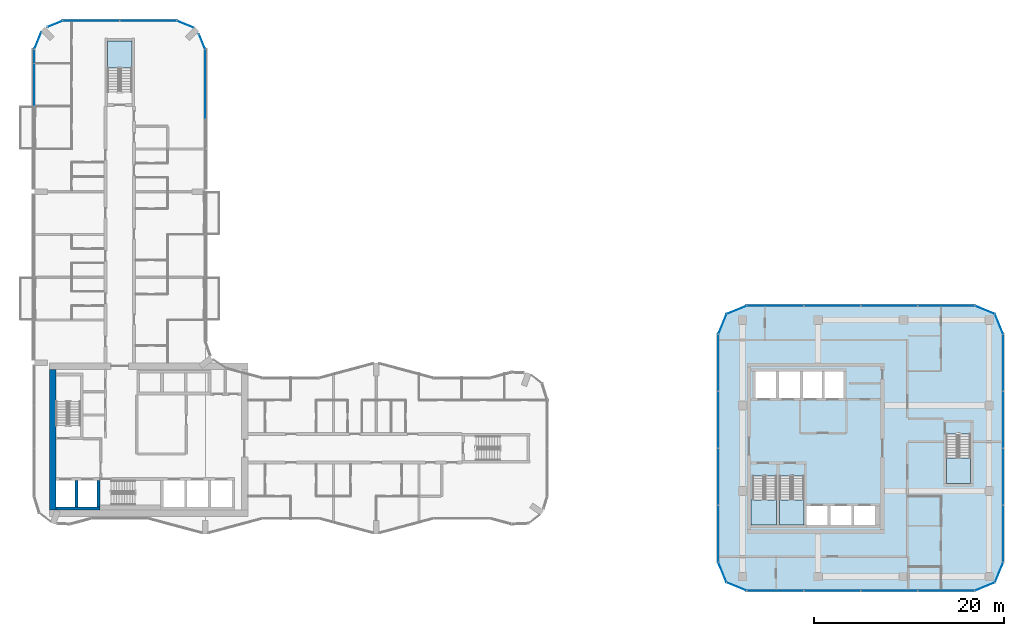
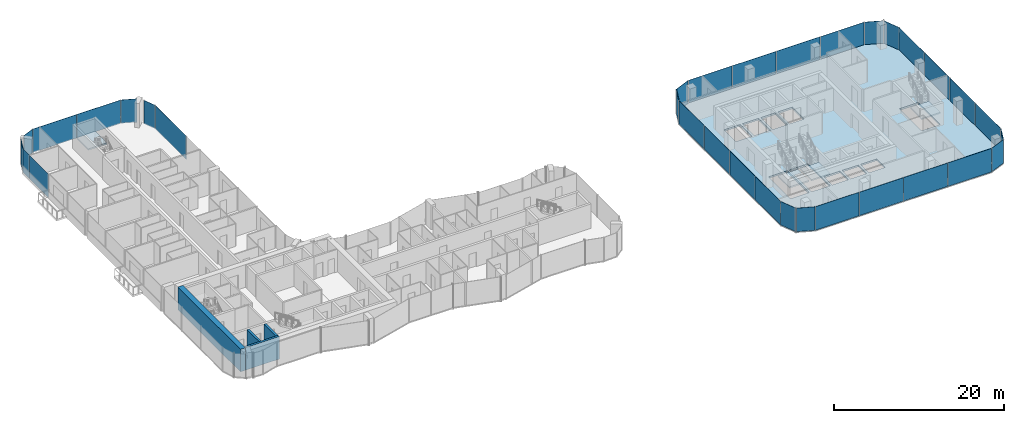
# One storey, part 12 of 23: 33 plates, 5 slabs, 4 walls, 23 elements without a shape of their own.
"""IFC4 building model written with IfcOpenShell, lengths in metres."""

from ifc_helpers import new_model, si_unit, direction, frame, frame_2d, origin, origin_2d, place, context, subcontext, project, spatial, polyline, rectangle, outline, extrude, material, layer, layer_set, type_object, element, aggregate, save


model = new_model("IFC4")

# Units and contexts
model_context = context("Model", 3, precision=1e-05, world=origin(), true_north=direction((0.0, 1.0)))
body_context = subcontext(model_context, "Body", "Model", "MODEL_VIEW")
ifc_project = project(units=[si_unit("LENGTHUNIT", "METRE"), si_unit("AREAUNIT", "SQUARE_METRE"), si_unit("VOLUMEUNIT", "CUBIC_METRE"), si_unit("PLANEANGLEUNIT", "RADIAN"), si_unit("MASSUNIT", "GRAM", prefix="KILO")], contexts=[model_context])

# Site, building, storey
site_placement = place(None, origin())
site = spatial("IfcSite", under=ifc_project, at=site_placement, CompositionType="ELEMENT")
building_placement = place(site_placement, origin())
building = spatial("IfcBuilding", under=site, at=building_placement, Name="Plateau Cross Towers", CompositionType="ELEMENT")
storey_placement = place(building_placement, frame((0.0, 0.0, 81.800048828125)))
storey = spatial("IfcBuildingStorey", under=building, at=storey_placement, Name="L20", CompositionType="ELEMENT", Elevation=81.800048828125)

# Curtain wall, plates
ifc_material_1 = material(Name="Dark low-iron glass", Category="glass")
ifc_layer_1 = layer(ifc_material_1, 0.239990234375)
ifc_layer_set_1 = layer_set([ifc_layer_1], Name="Dark low-iron glass")
curtain_wall_type_1 = type_object("IfcCurtainWallType", Name="Curtain wall office unitised CW-F", PredefinedType="NOTDEFINED", material=ifc_layer_set_1)
curtain_wall_1_placement = place(storey_placement, origin())
curtain_wall_1 = element("IfcCurtainWall", 1, at=curtain_wall_1_placement, inside=storey, type_object=curtain_wall_type_1, Name="ENV/B/L20/B750_-60", PredefinedType="NOTDEFINED")
ifc_layer_2 = layer(ifc_material_1, 0.028076171875)
ifc_layer_set_2 = layer_set([ifc_layer_2], Name="Dark low-iron glass")
plate_type_1 = type_object("IfcPlateType", Name="Glass panel 28 office unitised", PredefinedType="CURTAIN_PANEL", material=ifc_layer_set_2)
plate_1_placement = place(storey_placement, frame((78.0, -6.0, -0.1298828125), z_axis=(0.0, 0.0, 1.0), x_axis=(1.0, 0.0, 0.0)))
plate_1 = element("IfcPlate", 2, at=plate_1_placement, type_object=plate_type_1, Name="CW-F panel 1", PredefinedType="CURTAIN_PANEL", context=body_context, shape_type="SweptSolid", body=[
    extrude(rectangle(XDim=5.93994140625, YDim=0.028076171875, at=origin_2d()), origin(), (0.0, 0.0, 1.0), 3.3798828125),
])
plate_2_placement = place(storey_placement, frame((84.0, -6.0, -0.1298828125), z_axis=(0.0, 0.0, 1.0), x_axis=(1.0, 0.0, 0.0)))
plate_2 = element("IfcPlate", 3, at=plate_2_placement, type_object=plate_type_1, Name="CW-F panel 2", PredefinedType="CURTAIN_PANEL", context=body_context, shape_type="SweptSolid", body=[
    extrude(rectangle(XDim=5.93994140625, YDim=0.028076171875, at=origin_2d()), origin(), (0.0, 0.0, 1.0), 3.3798828125),
])
plate_3_placement = place(storey_placement, frame((90.0, -6.0, -0.1298828125), z_axis=(0.0, 0.0, 1.0), x_axis=(1.0, 0.0, 0.0)))
plate_3 = element("IfcPlate", 4, at=plate_3_placement, type_object=plate_type_1, Name="CW-F panel 3", PredefinedType="CURTAIN_PANEL", context=body_context, shape_type="SweptSolid", body=[
    extrude(rectangle(XDim=5.93994140625, YDim=0.028076171875, at=origin_2d()), origin(), (0.0, 0.0, 1.0), 3.3798828125),
])
plate_4_placement = place(storey_placement, frame((96.0, -6.0, -0.1298828125), z_axis=(0.0, 0.0, 1.0), x_axis=(1.0, 0.0, 0.0)))
plate_4 = element("IfcPlate", 5, at=plate_4_placement, type_object=plate_type_1, Name="CW-F panel 4", PredefinedType="CURTAIN_PANEL", context=body_context, shape_type="SweptSolid", body=[
    extrude(rectangle(XDim=5.93994140625, YDim=0.028076171875, at=origin_2d()), origin(), (0.0, 0.0, 1.0), 3.3798828125),
])
aggregate(curtain_wall_1, [plate_1, plate_2, plate_3, plate_4])

# Curtain wall, plate
curtain_wall_2_placement = place(storey_placement, origin())
curtain_wall_2 = element("IfcCurtainWall", 6, at=curtain_wall_2_placement, inside=storey, type_object=curtain_wall_type_1, Name="ENV/B/L20/B990_-60", PredefinedType="NOTDEFINED")
plate_5_placement = place(storey_placement, frame((100.060546875, -5.560546875, -0.1298828125), z_axis=(0.0, 0.0, 1.0), x_axis=(0.923879457699, 0.382683612978, 0.0)))
plate_5 = element("IfcPlate", 7, at=plate_5_placement, type_object=plate_type_1, Name="CW-F panel 1", PredefinedType="CURTAIN_PANEL", context=body_context, shape_type="SweptSolid", body=[
    extrude(rectangle(XDim=2.236083984375, YDim=0.028076171875, at=origin_2d()), origin(), (0.0, 0.0, 1.0), 3.3798828125),
])
aggregate(curtain_wall_2, [plate_5])

curtain_wall_3_placement = place(storey_placement, origin())
curtain_wall_3 = element("IfcCurtainWall", 8, at=curtain_wall_3_placement, inside=storey, type_object=curtain_wall_type_1, Name="ENV/B/L20/B1011_-51", PredefinedType="NOTDEFINED")
plate_6_placement = place(storey_placement, frame((101.560546875, -4.060546875, -0.1298828125), z_axis=(0.0, 0.0, 1.0), x_axis=(0.382683612978, 0.923879457699, 0.0)))
plate_6 = element("IfcPlate", 9, at=plate_6_placement, type_object=plate_type_1, Name="CW-F panel 1", PredefinedType="CURTAIN_PANEL", context=body_context, shape_type="SweptSolid", body=[
    extrude(rectangle(XDim=2.236083984375, YDim=0.028076171875, at=origin_2d()), origin(), (0.0, 0.0, 1.0), 3.3798828125),
])
aggregate(curtain_wall_3, [plate_6])

# Curtain wall, plates
curtain_wall_4_placement = place(storey_placement, origin())
curtain_wall_4 = element("IfcCurtainWall", 10, at=curtain_wall_4_placement, inside=storey, type_object=curtain_wall_type_1, Name="ENV/B/L20/B1020_-30", PredefinedType="NOTDEFINED")
plate_7_placement = place(storey_placement, frame((102.0, 0.0, -0.1298828125), z_axis=(0.0, 0.0, 1.0), x_axis=(0.0, 1.0, 0.0)))
plate_7 = element("IfcPlate", 11, at=plate_7_placement, type_object=plate_type_1, Name="CW-F panel 1", PredefinedType="CURTAIN_PANEL", context=body_context, shape_type="SweptSolid", body=[
    extrude(rectangle(XDim=5.93994140625, YDim=0.028076171875, at=origin_2d()), origin(), (0.0, 0.0, 1.0), 3.3798828125),
])
plate_8_placement = place(storey_placement, frame((102.0, 6.0, -0.1298828125), z_axis=(0.0, 0.0, 1.0), x_axis=(0.0, 1.0, 0.0)))
plate_8 = element("IfcPlate", 12, at=plate_8_placement, type_object=plate_type_1, Name="CW-F panel 2", PredefinedType="CURTAIN_PANEL", context=body_context, shape_type="SweptSolid", body=[
    extrude(rectangle(XDim=5.93994140625, YDim=0.028076171875, at=origin_2d()), origin(), (0.0, 0.0, 1.0), 3.3798828125),
])
plate_9_placement = place(storey_placement, frame((102.0, 12.0, -0.1298828125), z_axis=(0.0, 0.0, 1.0), x_axis=(0.0, 1.0, 0.0)))
plate_9 = element("IfcPlate", 13, at=plate_9_placement, type_object=plate_type_1, Name="CW-F panel 3", PredefinedType="CURTAIN_PANEL", context=body_context, shape_type="SweptSolid", body=[
    extrude(rectangle(XDim=5.93994140625, YDim=0.028076171875, at=origin_2d()), origin(), (0.0, 0.0, 1.0), 3.3798828125),
])
plate_10_placement = place(storey_placement, frame((102.0, 18.0, -0.1298828125), z_axis=(0.0, 0.0, 1.0), x_axis=(0.0, 1.0, 0.0)))
plate_10 = element("IfcPlate", 14, at=plate_10_placement, type_object=plate_type_1, Name="CW-F panel 4", PredefinedType="CURTAIN_PANEL", context=body_context, shape_type="SweptSolid", body=[
    extrude(rectangle(XDim=5.93994140625, YDim=0.028076171875, at=origin_2d()), origin(), (0.0, 0.0, 1.0), 3.3798828125),
])
aggregate(curtain_wall_4, [plate_7, plate_8, plate_9, plate_10])

# Curtain wall, plate
curtain_wall_5_placement = place(storey_placement, origin())
curtain_wall_5 = element("IfcCurtainWall", 15, at=curtain_wall_5_placement, inside=storey, type_object=curtain_wall_type_1, Name="ENV/B/L20/B1020_210", PredefinedType="NOTDEFINED")
plate_11_placement = place(storey_placement, frame((101.560546875, 22.060546875, -0.1298828125), z_axis=(0.0, 0.0, 1.0), x_axis=(-0.382683612978, 0.923879457699, 0.0)))
plate_11 = element("IfcPlate", 16, at=plate_11_placement, type_object=plate_type_1, Name="CW-F panel 1", PredefinedType="CURTAIN_PANEL", context=body_context, shape_type="SweptSolid", body=[
    extrude(rectangle(XDim=2.236083984375, YDim=0.028076171875, at=origin_2d()), origin(), (0.0, 0.0, 1.0), 3.3798828125),
])
aggregate(curtain_wall_5, [plate_11])

curtain_wall_6_placement = place(storey_placement, origin())
curtain_wall_6 = element("IfcCurtainWall", 17, at=curtain_wall_6_placement, inside=storey, type_object=curtain_wall_type_1, Name="ENV/B/L20/B1011_231", PredefinedType="NOTDEFINED")
plate_12_placement = place(storey_placement, frame((100.060546875, 23.560546875, -0.1298828125), z_axis=(0.0, 0.0, 1.0), x_axis=(-0.923879457699, 0.382683612978, 0.0)))
plate_12 = element("IfcPlate", 18, at=plate_12_placement, type_object=plate_type_1, Name="CW-F panel 1", PredefinedType="CURTAIN_PANEL", context=body_context, shape_type="SweptSolid", body=[
    extrude(rectangle(XDim=2.236083984375, YDim=0.028076171875, at=origin_2d()), origin(), (0.0, 0.0, 1.0), 3.3798828125),
])
aggregate(curtain_wall_6, [plate_12])

# Curtain wall, plates
curtain_wall_7_placement = place(storey_placement, origin())
curtain_wall_7 = element("IfcCurtainWall", 19, at=curtain_wall_7_placement, inside=storey, type_object=curtain_wall_type_1, Name="ENV/B/L20/B990_240", PredefinedType="NOTDEFINED")
plate_13_placement = place(storey_placement, frame((96.0, 24.0, -0.1298828125), z_axis=(0.0, 0.0, 1.0), x_axis=(-1.0, 0.0, 0.0)))
plate_13 = element("IfcPlate", 20, at=plate_13_placement, type_object=plate_type_1, Name="CW-F panel 1", PredefinedType="CURTAIN_PANEL", context=body_context, shape_type="SweptSolid", body=[
    extrude(rectangle(XDim=5.93994140625, YDim=0.028076171875, at=origin_2d()), origin(), (0.0, 0.0, 1.0), 3.3798828125),
])
plate_14_placement = place(storey_placement, frame((90.0, 24.0, -0.1298828125), z_axis=(0.0, 0.0, 1.0), x_axis=(-1.0, 0.0, 0.0)))
plate_14 = element("IfcPlate", 21, at=plate_14_placement, type_object=plate_type_1, Name="CW-F panel 2", PredefinedType="CURTAIN_PANEL", context=body_context, shape_type="SweptSolid", body=[
    extrude(rectangle(XDim=5.93994140625, YDim=0.028076171875, at=origin_2d()), origin(), (0.0, 0.0, 1.0), 3.3798828125),
])
plate_15_placement = place(storey_placement, frame((84.0, 24.0, -0.1298828125), z_axis=(0.0, 0.0, 1.0), x_axis=(-1.0, 0.0, 0.0)))
plate_15 = element("IfcPlate", 22, at=plate_15_placement, type_object=plate_type_1, Name="CW-F panel 3", PredefinedType="CURTAIN_PANEL", context=body_context, shape_type="SweptSolid", body=[
    extrude(rectangle(XDim=5.93994140625, YDim=0.028076171875, at=origin_2d()), origin(), (0.0, 0.0, 1.0), 3.3798828125),
])
plate_16_placement = place(storey_placement, frame((78.0, 24.0, -0.1298828125), z_axis=(0.0, 0.0, 1.0), x_axis=(-1.0, 0.0, 0.0)))
plate_16 = element("IfcPlate", 23, at=plate_16_placement, type_object=plate_type_1, Name="CW-F panel 4", PredefinedType="CURTAIN_PANEL", context=body_context, shape_type="SweptSolid", body=[
    extrude(rectangle(XDim=5.93994140625, YDim=0.028076171875, at=origin_2d()), origin(), (0.0, 0.0, 1.0), 3.3798828125),
])
aggregate(curtain_wall_7, [plate_13, plate_14, plate_15, plate_16])

# Curtain wall, plate
curtain_wall_8_placement = place(storey_placement, origin())
curtain_wall_8 = element("IfcCurtainWall", 24, at=curtain_wall_8_placement, inside=storey, type_object=curtain_wall_type_1, Name="ENV/B/L20/B750_240", PredefinedType="NOTDEFINED")
plate_17_placement = place(storey_placement, frame((73.939453125, 23.560546875, -0.1298828125), z_axis=(0.0, 0.0, 1.0), x_axis=(-0.923879457699, -0.382683612978, 0.0)))
plate_17 = element("IfcPlate", 25, at=plate_17_placement, type_object=plate_type_1, Name="CW-F panel 1", PredefinedType="CURTAIN_PANEL", context=body_context, shape_type="SweptSolid", body=[
    extrude(rectangle(XDim=2.236083984375, YDim=0.028076171875, at=origin_2d()), origin(), (0.0, 0.0, 1.0), 3.3798828125),
])
aggregate(curtain_wall_8, [plate_17])

curtain_wall_9_placement = place(storey_placement, origin())
curtain_wall_9 = element("IfcCurtainWall", 26, at=curtain_wall_9_placement, inside=storey, type_object=curtain_wall_type_1, Name="ENV/B/L20/B729_231", PredefinedType="NOTDEFINED")
plate_18_placement = place(storey_placement, frame((72.439453125, 22.060546875, -0.1298828125), z_axis=(0.0, 0.0, 1.0), x_axis=(-0.382683612978, -0.923879457699, 0.0)))
plate_18 = element("IfcPlate", 27, at=plate_18_placement, type_object=plate_type_1, Name="CW-F panel 1", PredefinedType="CURTAIN_PANEL", context=body_context, shape_type="SweptSolid", body=[
    extrude(rectangle(XDim=2.236083984375, YDim=0.028076171875, at=origin_2d()), origin(), (0.0, 0.0, 1.0), 3.3798828125),
])
aggregate(curtain_wall_9, [plate_18])

# Curtain wall, plates
curtain_wall_10_placement = place(storey_placement, origin())
curtain_wall_10 = element("IfcCurtainWall", 28, at=curtain_wall_10_placement, inside=storey, type_object=curtain_wall_type_1, Name="ENV/B/L20/B720_210", PredefinedType="NOTDEFINED")
plate_19_placement = place(storey_placement, frame((72.0, 18.0, -0.1298828125), z_axis=(0.0, 0.0, 1.0), x_axis=(0.0, -1.0, 0.0)))
plate_19 = element("IfcPlate", 29, at=plate_19_placement, type_object=plate_type_1, Name="CW-F panel 1", PredefinedType="CURTAIN_PANEL", context=body_context, shape_type="SweptSolid", body=[
    extrude(rectangle(XDim=5.93994140625, YDim=0.028076171875, at=origin_2d()), origin(), (0.0, 0.0, 1.0), 3.3798828125),
])
plate_20_placement = place(storey_placement, frame((72.0, 12.0, -0.1298828125), z_axis=(0.0, 0.0, 1.0), x_axis=(0.0, -1.0, 0.0)))
plate_20 = element("IfcPlate", 30, at=plate_20_placement, type_object=plate_type_1, Name="CW-F panel 2", PredefinedType="CURTAIN_PANEL", context=body_context, shape_type="SweptSolid", body=[
    extrude(rectangle(XDim=5.93994140625, YDim=0.028076171875, at=origin_2d()), origin(), (0.0, 0.0, 1.0), 3.3798828125),
])
plate_21_placement = place(storey_placement, frame((72.0, 6.0, -0.1298828125), z_axis=(0.0, 0.0, 1.0), x_axis=(0.0, -1.0, 0.0)))
plate_21 = element("IfcPlate", 31, at=plate_21_placement, type_object=plate_type_1, Name="CW-F panel 3", PredefinedType="CURTAIN_PANEL", context=body_context, shape_type="SweptSolid", body=[
    extrude(rectangle(XDim=5.93994140625, YDim=0.028076171875, at=origin_2d()), origin(), (0.0, 0.0, 1.0), 3.3798828125),
])
plate_22_placement = place(storey_placement, frame((72.0, 0.0, -0.1298828125), z_axis=(0.0, 0.0, 1.0), x_axis=(0.0, -1.0, 0.0)))
plate_22 = element("IfcPlate", 32, at=plate_22_placement, type_object=plate_type_1, Name="CW-F panel 4", PredefinedType="CURTAIN_PANEL", context=body_context, shape_type="SweptSolid", body=[
    extrude(rectangle(XDim=5.93994140625, YDim=0.028076171875, at=origin_2d()), origin(), (0.0, 0.0, 1.0), 3.3798828125),
])
aggregate(curtain_wall_10, [plate_19, plate_20, plate_21, plate_22])

# Curtain wall, plate
curtain_wall_11_placement = place(storey_placement, origin())
curtain_wall_11 = element("IfcCurtainWall", 33, at=curtain_wall_11_placement, inside=storey, type_object=curtain_wall_type_1, Name="ENV/B/L20/B720_-30", PredefinedType="NOTDEFINED")
plate_23_placement = place(storey_placement, frame((72.439453125, -4.060546875, -0.1298828125), z_axis=(0.0, 0.0, 1.0), x_axis=(0.382683612978, -0.923879457699, 0.0)))
plate_23 = element("IfcPlate", 34, at=plate_23_placement, type_object=plate_type_1, Name="CW-F panel 1", PredefinedType="CURTAIN_PANEL", context=body_context, shape_type="SweptSolid", body=[
    extrude(rectangle(XDim=2.236083984375, YDim=0.028076171875, at=origin_2d()), origin(), (0.0, 0.0, 1.0), 3.3798828125),
])
aggregate(curtain_wall_11, [plate_23])

curtain_wall_12_placement = place(storey_placement, origin())
curtain_wall_12 = element("IfcCurtainWall", 35, at=curtain_wall_12_placement, inside=storey, type_object=curtain_wall_type_1, Name="ENV/B/L20/B729_-51", PredefinedType="NOTDEFINED")
plate_24_placement = place(storey_placement, frame((73.939453125, -5.560546875, -0.1298828125), z_axis=(0.0, 0.0, 1.0), x_axis=(0.923879457699, -0.382683612978, 0.0)))
plate_24 = element("IfcPlate", 36, at=plate_24_placement, type_object=plate_type_1, Name="CW-F panel 1", PredefinedType="CURTAIN_PANEL", context=body_context, shape_type="SweptSolid", body=[
    extrude(rectangle(XDim=2.236083984375, YDim=0.028076171875, at=origin_2d()), origin(), (0.0, 0.0, 1.0), 3.3798828125),
])
aggregate(curtain_wall_12, [plate_24])

ifc_layer_3 = layer(ifc_material_1, 0.239990234375)
ifc_layer_set_3 = layer_set([ifc_layer_3], Name="Dark low-iron glass")
curtain_wall_type_2 = type_object("IfcCurtainWallType", Name="Curtain wall flush unitised CW-B", PredefinedType="NOTDEFINED", material=ifc_layer_set_3)
curtain_wall_13_placement = place(storey_placement, origin())
curtain_wall_13 = element("IfcCurtainWall", 37, at=curtain_wall_13_placement, inside=storey, type_object=curtain_wall_type_2, Name="ENV/A/L20/A180_363", PredefinedType="NOTDEFINED")
ifc_layer_4 = layer(ifc_material_1, 0.031982421875)
ifc_layer_set_4 = layer_set([ifc_layer_4], Name="Dark low-iron glass")
plate_type_2 = type_object("IfcPlateType", Name="Glass panel 32 flush unitised", PredefinedType="CURTAIN_PANEL", material=ifc_layer_set_4)
plate_25_placement = place(storey_placement, frame((18.0, 47.324951171875, -0.1298828125), z_axis=(0.0, 0.0, 1.0), x_axis=(0.0, 1.0, 0.0)))
plate_25 = element("IfcPlate", 38, at=plate_25_placement, type_object=plate_type_2, Name="CW-B panel 2", PredefinedType="CURTAIN_PANEL", context=body_context, shape_type="SweptSolid", body=[
    extrude(rectangle(XDim=7.2900390625, YDim=0.031982421875, at=origin_2d()), origin(), (0.0, 0.0, 1.0), 3.3798828125),
])
aggregate(curtain_wall_13, [plate_25])

curtain_wall_14_placement = place(storey_placement, origin())
curtain_wall_14 = element("IfcCurtainWall", 39, at=curtain_wall_14_placement, inside=storey, type_object=curtain_wall_type_2, Name="ENV/A/L20/A180_510", PredefinedType="NOTDEFINED")
plate_26_placement = place(storey_placement, frame((17.66943359375, 51.79833984375, -0.1298828125), z_axis=(0.0, 0.0, 1.0), x_axis=(-0.382683612978, 0.923879457699, 0.0)))
plate_26 = element("IfcPlate", 40, at=plate_26_placement, type_object=plate_type_2, Name="CW-B panel 1", PredefinedType="CURTAIN_PANEL", context=body_context, shape_type="SweptSolid", body=[
    extrude(rectangle(XDim=1.668212890625, YDim=0.031982421875, at=origin_2d()), origin(), (0.0, 0.0, 1.0), 3.3798828125),
])
aggregate(curtain_wall_14, [plate_26])

curtain_wall_15_placement = place(storey_placement, origin())
curtain_wall_15 = element("IfcCurtainWall", 41, at=curtain_wall_15_placement, inside=storey, type_object=curtain_wall_type_2, Name="ENV/A/L20/A168_533", PredefinedType="NOTDEFINED")
plate_27_placement = place(storey_placement, frame((15.90283203125, 53.6259765625, -0.1298828125), z_axis=(0.0, 0.0, 1.0), x_axis=(-0.923879457699, 0.382683612978, 0.0)))
plate_27 = element("IfcPlate", 42, at=plate_27_placement, type_object=plate_type_2, Name="CW-B panel 1", PredefinedType="CURTAIN_PANEL", context=body_context, shape_type="SweptSolid", body=[
    extrude(rectangle(XDim=1.894775390625, YDim=0.031982421875, at=origin_2d()), origin(), (0.0, 0.0, 1.0), 3.3798828125),
])
aggregate(curtain_wall_15, [plate_27])

# Curtain wall, plates
curtain_wall_16_placement = place(storey_placement, origin())
curtain_wall_16 = element("IfcCurtainWall", 43, at=curtain_wall_16_placement, inside=storey, type_object=curtain_wall_type_2, Name="ENV/A/L20/A150_540", PredefinedType="NOTDEFINED")
plate_28_placement = place(storey_placement, frame((12.0, 54.0, -0.1298828125), z_axis=(0.0, 0.0, 1.0), x_axis=(-1.0, 0.0, 0.0)))
plate_28 = element("IfcPlate", 44, at=plate_28_placement, type_object=plate_type_2, Name="CW-B panel 1", PredefinedType="CURTAIN_PANEL", context=body_context, shape_type="SweptSolid", body=[
    extrude(rectangle(XDim=5.93994140625, YDim=0.031982421875, at=origin_2d()), origin(), (0.0, 0.0, 1.0), 3.3798828125),
])
plate_29_placement = place(storey_placement, frame((6.0, 54.0, -0.1298828125), z_axis=(0.0, 0.0, 1.0), x_axis=(-1.0, 0.0, 0.0)))
plate_29 = element("IfcPlate", 45, at=plate_29_placement, type_object=plate_type_2, Name="CW-B panel 2", PredefinedType="CURTAIN_PANEL", context=body_context, shape_type="SweptSolid", body=[
    extrude(rectangle(XDim=5.93994140625, YDim=0.031982421875, at=origin_2d()), origin(), (0.0, 0.0, 1.0), 3.3798828125),
])
aggregate(curtain_wall_16, [plate_28, plate_29])

# Curtain wall, plate
curtain_wall_17_placement = place(storey_placement, origin())
curtain_wall_17 = element("IfcCurtainWall", 46, at=curtain_wall_17_placement, inside=storey, type_object=curtain_wall_type_2, Name="ENV/A/L20/A30_540", PredefinedType="NOTDEFINED")
plate_30_placement = place(storey_placement, frame((2.20166015625, 53.66943359375, -0.1298828125), z_axis=(0.0, 0.0, 1.0), x_axis=(-0.923879457699, -0.382683612978, 0.0)))
plate_30 = element("IfcPlate", 47, at=plate_30_placement, type_object=plate_type_2, Name="CW-B panel 1", PredefinedType="CURTAIN_PANEL", context=body_context, shape_type="SweptSolid", body=[
    extrude(rectangle(XDim=1.668212890625, YDim=0.031982421875, at=origin_2d()), origin(), (0.0, 0.0, 1.0), 3.3798828125),
])
aggregate(curtain_wall_17, [plate_30])

curtain_wall_18_placement = place(storey_placement, origin())
curtain_wall_18 = element("IfcCurtainWall", 48, at=curtain_wall_18_placement, inside=storey, type_object=curtain_wall_type_2, Name="ENV/A/L20/A7_528", PredefinedType="NOTDEFINED")
plate_31_placement = place(storey_placement, frame((0.3740234375, 51.90283203125, -0.1298828125), z_axis=(0.0, 0.0, 1.0), x_axis=(-0.382683612978, -0.923879457699, 0.0)))
plate_31 = element("IfcPlate", 49, at=plate_31_placement, type_object=plate_type_2, Name="CW-B panel 1", PredefinedType="CURTAIN_PANEL", context=body_context, shape_type="SweptSolid", body=[
    extrude(rectangle(XDim=1.894775390625, YDim=0.031982421875, at=origin_2d()), origin(), (0.0, 0.0, 1.0), 3.3798828125),
])
aggregate(curtain_wall_18, [plate_31])

# Curtain wall, plates
curtain_wall_19_placement = place(storey_placement, origin())
curtain_wall_19 = element("IfcCurtainWall", 50, at=curtain_wall_19_placement, inside=storey, type_object=curtain_wall_type_2, Name="ENV/A/L20/A0_510", PredefinedType="NOTDEFINED")
plate_32_placement = place(storey_placement, frame((0.0, 50.25, -0.1298828125), z_axis=(0.0, 0.0, 1.0), x_axis=(0.0, -1.0, 0.0)))
plate_32 = element("IfcPlate", 51, at=plate_32_placement, type_object=plate_type_2, Name="CW-B panel 1", PredefinedType="CURTAIN_PANEL", context=body_context, shape_type="SweptSolid", body=[
    extrude(rectangle(XDim=1.43994140625, YDim=0.031982421875, at=origin_2d()), origin(), (0.0, 0.0, 1.0), 3.3798828125),
])
plate_33_placement = place(storey_placement, frame((0.0, 47.2548828125, -0.1298828125), z_axis=(0.0, 0.0, 1.0), x_axis=(0.0, -1.0, 0.0)))
plate_33 = element("IfcPlate", 52, at=plate_33_placement, type_object=plate_type_2, Name="CW-B panel 2", PredefinedType="CURTAIN_PANEL", context=body_context, shape_type="SweptSolid", body=[
    extrude(rectangle(XDim=4.429931640625, YDim=0.031982421875, at=origin_2d()), origin(), (0.0, 0.0, 1.0), 3.3798828125),
])
aggregate(curtain_wall_19, [plate_32, plate_33])

# Slab
ifc_material_2 = material(Name="Concrete C40/50", Category="concrete")
ifc_layer_5 = layer(ifc_material_2, 0.25)
ifc_layer_set_5 = layer_set([ifc_layer_5], Name="Concrete C40/50")
slab_type_1 = type_object("IfcSlabType", Name="Post-tensioned flat plate slab 250", PredefinedType="FLOOR", material=ifc_layer_set_5)
slab_1_placement = place(storey_placement, frame((0.0, 0.0, -0.25)))
element("IfcSlab", 53, at=slab_1_placement, inside=storey, type_object=slab_type_1, Name="SL-B-L20", PredefinedType="FLOOR", context=body_context, shape_type="SweptSolid", body=[
    extrude(outline(polyline([(72.878662109375, -5.121337890625), (72.0, -3.0), (72.0, 21.0), (72.878662109375, 23.121337890625), (75.0, 24.0), (99.0, 24.0), (101.121337890625, 23.121337890625), (102.0, 21.0), (102.0, -3.0), (101.121337890625, -5.121337890625), (99.0, -6.0), (75.0, -6.0), (72.878662109375, -5.121337890625)]), holes=[polyline([(75.60009765625, 0.89990234375), (78.14990234375, 0.89990234375), (78.14990234375, 6.10009765625), (75.60009765625, 6.10009765625), (75.60009765625, 0.89990234375)]), polyline([(78.10009765625, 14.300048828125), (78.10009765625, 17.10009765625), (75.89990234375, 17.10009765625), (75.89990234375, 14.300048828125), (78.10009765625, 14.300048828125)]), polyline([(83.5, 0.89990234375), (83.5, 2.89990234375), (81.300048828125, 2.89990234375), (81.300048828125, 0.89990234375), (83.5, 0.89990234375)]), polyline([(86.0, 0.89990234375), (86.0, 2.89990234375), (83.800048828125, 2.89990234375), (83.800048828125, 0.89990234375), (86.0, 0.89990234375)]), polyline([(88.5, 0.89990234375), (88.5, 2.89990234375), (86.300048828125, 2.89990234375), (86.300048828125, 0.89990234375), (88.5, 0.89990234375)]), polyline([(78.449951171875, 0.89990234375), (81.0, 0.89990234375), (81.0, 6.10009765625), (78.449951171875, 6.10009765625), (78.449951171875, 0.89990234375)]), polyline([(96.0, 5.300048828125), (98.550048828125, 5.300048828125), (98.550048828125, 10.5), (96.0, 10.5), (96.0, 5.300048828125)]), polyline([(80.60009765625, 14.300048828125), (80.60009765625, 17.10009765625), (78.39990234375, 17.10009765625), (78.39990234375, 14.300048828125), (80.60009765625, 14.300048828125)]), polyline([(80.89990234375, 14.300048828125), (82.89990234375, 14.300048828125), (82.89990234375, 17.10009765625), (80.89990234375, 17.10009765625), (80.89990234375, 14.300048828125)]), polyline([(83.199951171875, 14.300048828125), (85.199951171875, 14.300048828125), (85.199951171875, 17.10009765625), (83.199951171875, 17.10009765625), (83.199951171875, 14.300048828125)])]), origin(), (0.0, 0.0, 1.0), 0.25),
])

# Stair, slab
stair_type = type_object("IfcStairType", Name="ST-TWR", PredefinedType="HALF_TURN_STAIR", material=ifc_material_2)
stair_1_placement = place(storey_placement, origin())
stair_1 = element("IfcStair", 54, at=stair_1_placement, inside=storey, type_object=stair_type, Name="L20 Protected Exit Stair SB-1", PredefinedType="HALF_TURN_STAIR")
ifc_layer_6 = layer(ifc_material_2, 0.199951171875)
ifc_layer_set_6 = layer_set([ifc_layer_6], Name="Concrete C40/50")
slab_type_2 = type_object("IfcSlabType", Name="SL-LANDING", PredefinedType="LANDING", material=ifc_layer_set_6)
slab_2_placement = place(storey_placement, frame((0.0, 0.0, 1.550048828125)))
slab_2 = element("IfcSlab", 55, at=slab_2_placement, type_object=slab_type_2, Name="SB-1 landing 1", PredefinedType="LANDING", context=body_context, shape_type="SweptSolid", body=[
    extrude(outline(polyline([(75.449951171875, 3.580078125), (75.449951171875, 0.89990234375), (78.14990234375, 0.89990234375), (78.14990234375, 3.580078125), (75.449951171875, 3.580078125)])), origin(), (0.0, 0.0, 1.0), 0.199951171875),
])
aggregate(stair_1, [slab_2])

stair_2_placement = place(storey_placement, origin())
stair_2 = element("IfcStair", 56, at=stair_2_placement, inside=storey, type_object=stair_type, Name="L20 Protected Exit Stair SB-2", PredefinedType="HALF_TURN_STAIR")
slab_3_placement = place(storey_placement, frame((0.0, 0.0, 1.550048828125)))
slab_3 = element("IfcSlab", 57, at=slab_3_placement, type_object=slab_type_2, Name="SB-2 landing 1", PredefinedType="LANDING", context=body_context, shape_type="SweptSolid", body=[
    extrude(outline(polyline([(78.449951171875, 3.580078125), (78.449951171875, 0.89990234375), (81.0, 0.89990234375), (81.0, 3.580078125), (78.449951171875, 3.580078125)])), origin(), (0.0, 0.0, 1.0), 0.199951171875),
])
aggregate(stair_2, [slab_3])

stair_3_placement = place(storey_placement, origin())
stair_3 = element("IfcStair", 58, at=stair_3_placement, inside=storey, type_object=stair_type, Name="L20 Protected Exit Stair SB-3", PredefinedType="HALF_TURN_STAIR")
slab_4_placement = place(storey_placement, frame((0.0, 0.0, 1.550048828125)))
slab_4 = element("IfcSlab", 59, at=slab_4_placement, type_object=slab_type_2, Name="SB-3 landing 1", PredefinedType="LANDING", context=body_context, shape_type="SweptSolid", body=[
    extrude(outline(polyline([(96.0, 7.97998046875), (96.0, 5.300048828125), (98.550048828125, 5.300048828125), (98.550048828125, 7.97998046875), (96.0, 7.97998046875)])), origin(), (0.0, 0.0, 1.0), 0.199951171875),
])
aggregate(stair_3, [slab_4])

stair_4_placement = place(storey_placement, origin())
stair_4 = element("IfcStair", 60, at=stair_4_placement, inside=storey, type_object=stair_type, Name="L20 Protected Exit Stair N", PredefinedType="HALF_TURN_STAIR")
slab_5_placement = place(storey_placement, frame((0.0, 0.0, 1.550048828125)))
slab_5 = element("IfcSlab", 61, at=slab_5_placement, type_object=slab_type_2, Name="ES-N landing 1", PredefinedType="LANDING", context=body_context, shape_type="SweptSolid", body=[
    extrude(outline(polyline([(10.27490234375, 49.02001953125), (10.27490234375, 51.85009765625), (7.72509765625, 51.85009765625), (7.72509765625, 49.02001953125), (10.27490234375, 49.02001953125)])), origin(), (0.0, 0.0, 1.0), 0.199951171875),
])
aggregate(stair_4, [slab_5])

# Walls
ifc_material_3 = material(Name="Concrete C60/75", Category="concrete")
ifc_layer_7 = layer(ifc_material_3, 0.300048828125)
ifc_layer_set_7 = layer_set([ifc_layer_7], Name="Concrete C60/75")
wall_type_1 = type_object("IfcWallType", Name="Core shaft wall 300", PredefinedType="SHEAR", material=ifc_layer_set_7)
wall_1_placement = place(storey_placement, frame((2.300048828125, 2.64990234375, 0.0), z_axis=(0.0, 0.0, 1.0), x_axis=(1.0, 0.0, 0.0)))
element("IfcWall", 62, at=wall_1_placement, inside=storey, type_object=wall_type_1, Name="A-sb-back1@L20", PredefinedType="SHEAR", context=body_context, shape_type="SweptSolid", body=[
    extrude(rectangle(XDim=4.599853515625, YDim=0.300048828125, at=frame_2d((2.2998046875, 0.0))), origin(), (0.0, 0.0, 1.0), 3.25),
])
for number, where, z_axis, x_axis, name in (
    (63, (4.449951171875, 2.800048828125, 0.0), (0.0, 0.0, 1.0), (0.0, 1.0, 0.0), "A-sb-v1@L20"),
    (64, (6.75, 2.800048828125, 0.0), (0.0, 0.0, 1.0), (0.0, 1.0, 0.0), "A-sb-v2@L20"),
):
    element("IfcWall", number, at=place(storey_placement, frame(where, z_axis=z_axis, x_axis=x_axis)), inside=storey, type_object=wall_type_1, Name=name, PredefinedType="SHEAR", context=body_context, shape_type="SweptSolid", body=[
        extrude(rectangle(XDim=2.800048828125, YDim=0.300048828125, at=frame_2d((1.39990234375, 0.0))), origin(), (0.0, 0.0, 1.0), 3.25),
    ])
ifc_layer_8 = layer(ifc_material_3, 0.699951171875)
ifc_layer_set_8 = layer_set([ifc_layer_8], Name="Concrete C60/75")
wall_type_2 = type_object("IfcWallType", Name="Core shell wall 700", PredefinedType="SHEAR", material=ifc_layer_set_8)
wall_2_placement = place(storey_placement, frame((1.949951171875, 2.5, 0.0), z_axis=(0.0, 0.0, 1.0), x_axis=(0.0, 1.0, 0.0)))
element("IfcWall", 65, at=wall_2_placement, inside=storey, type_object=wall_type_2, Name="A-core-W@L20", PredefinedType="SHEAR", context=body_context, shape_type="SweptSolid", body=[
    extrude(rectangle(XDim=14.800048828125, YDim=0.699951171875, at=frame_2d((7.39990234375, 0.0))), origin(), (0.0, 0.0, 1.0), 3.25),
])

save(model, "model.ifc")
